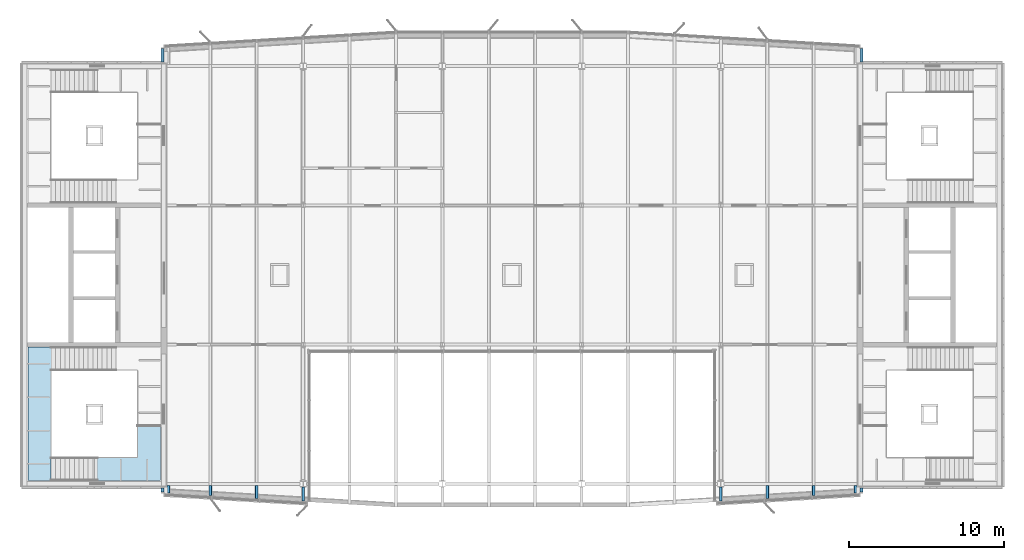
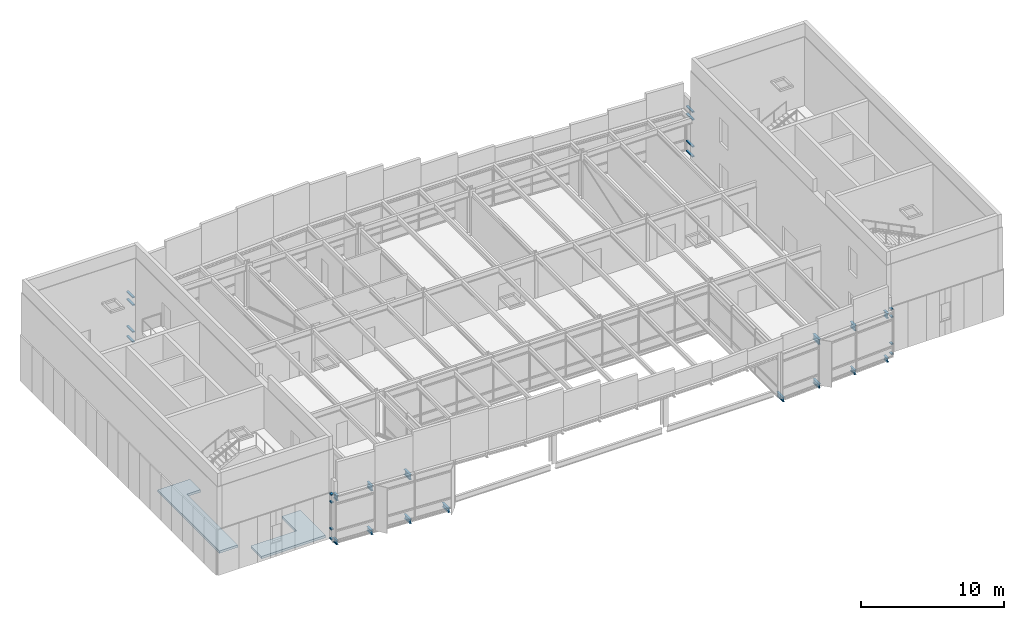
# One storey, part 10 of 23: 16 members, 14 beams, 2 slabs, 5 elements without a shape of their own.
"""IFC4 building model written with IfcOpenShell, lengths in metres."""

from ifc_helpers import new_model, si_unit, direction, frame, origin, origin_2d, place, context, subcontext, project, spatial, polyline, rectangle, i_section, outline, extrude, material, layer, layer_set, material_profile, profile_set, type_object, element, aggregate, save


model = new_model("IFC4")

# Units and contexts
model_context = context("Model", 3, precision=1e-05, world=origin(), true_north=direction((0.0, 1.0)))
body_context = subcontext(model_context, "Body", "Model", "MODEL_VIEW")
ifc_project = project(units=[si_unit("LENGTHUNIT", "METRE"), si_unit("AREAUNIT", "SQUARE_METRE"), si_unit("VOLUMEUNIT", "CUBIC_METRE"), si_unit("PLANEANGLEUNIT", "RADIAN"), si_unit("MASSUNIT", "GRAM", prefix="KILO")], contexts=[model_context])

# Site, building, storey
site_placement = place(None, origin())
site = spatial("IfcSite", under=ifc_project, at=site_placement, CompositionType="ELEMENT")
building_placement = place(site_placement, origin())
building = spatial("IfcBuilding", under=site, at=building_placement, Name="Azimuth Sports and Learning Centre", CompositionType="ELEMENT")
storey_placement = place(building_placement, frame((0.0, 0.0, 75.300048828125)))
storey = spatial("IfcBuildingStorey", under=building, at=storey_placement, Name="L17", CompositionType="ELEMENT", Elevation=75.300048828125)

# Beams
ifc_material_1 = material(Name="Steel S355", Category="steel")
ifc_material_profile_1 = material_profile(ifc_material_1, i_section(OverallWidth=0.169921875, OverallDepth=0.360107421875, WebThickness=0.008056640625, FlangeThickness=0.0126953125, FilletRadius=0.01806640625, at=origin_2d()), Name="IPE 360")
ifc_profile_set_1 = profile_set([ifc_material_profile_1], Name="Steel S355")
beam_type_1 = type_object("IfcBeamType", Name="Cantilever stub IPE 360", PredefinedType="JOIST", material=ifc_profile_set_1)
beam_1_placement = place(storey_placement, frame((63.284912109375, 89.89990234375, -0.31005859375), z_axis=(0.0, -1.0, 0.0), x_axis=(1.0, 0.0, 0.0)))
element("IfcBeam", 1, at=beam_1_placement, inside=storey, type_object=beam_type_1, Name="Tower cantilever stub", PredefinedType="JOIST", context=body_context, shape_type="SweptSolid", body=[
    extrude(i_section(OverallWidth=0.169921875, OverallDepth=0.360107421875, WebThickness=0.008056640625, FlangeThickness=0.0126953125, FilletRadius=0.01806640625, at=origin_2d()), origin(), (0.0, 0.0, 1.0), 0.4970703125),
])
beam_2_placement = place(storey_placement, frame((66.0, 89.89990234375, -0.31005859375), z_axis=(0.0, -1.0, 0.0), x_axis=(1.0, 0.0, 0.0)))
element("IfcBeam", 2, at=beam_2_placement, inside=storey, type_object=beam_type_1, Name="Tower cantilever stub", PredefinedType="JOIST", context=body_context, shape_type="SweptSolid", body=[
    extrude(i_section(OverallWidth=0.169921875, OverallDepth=0.360107421875, WebThickness=0.008056640625, FlangeThickness=0.0126953125, FilletRadius=0.01806640625, at=origin_2d()), origin(), (0.0, 0.0, 1.0), 0.659912109375),
])
beam_3_placement = place(storey_placement, frame((69.0, 89.89990234375, -0.31005859375), z_axis=(0.0, -1.0, 0.0), x_axis=(1.0, 0.0, 0.0)))
element("IfcBeam", 3, at=beam_3_placement, inside=storey, type_object=beam_type_1, Name="Tower cantilever stub", PredefinedType="JOIST", context=body_context, shape_type="SweptSolid", body=[
    extrude(i_section(OverallWidth=0.169921875, OverallDepth=0.360107421875, WebThickness=0.008056640625, FlangeThickness=0.0126953125, FilletRadius=0.01806640625, at=origin_2d()), origin(), (0.0, 0.0, 1.0), 0.83984375),
])
for number, where, z_axis, x_axis, name in (
    (4, (72.0, 89.782470703125, -0.31005859375), (0.0, -1.0, 0.0), (1.0, 0.0, 0.0), "Tower cantilever stub"),
    (5, (99.0, 89.782470703125, -0.31005859375), (0.0, -1.0, 0.0), (1.0, 0.0, 0.0), "Tower cantilever stub"),
):
    element("IfcBeam", number, at=place(storey_placement, frame(where, z_axis=z_axis, x_axis=x_axis)), inside=storey, type_object=beam_type_1, Name=name, PredefinedType="JOIST", context=body_context, shape_type="SweptSolid", body=[
        extrude(i_section(OverallWidth=0.169921875, OverallDepth=0.360107421875, WebThickness=0.008056640625, FlangeThickness=0.0126953125, FilletRadius=0.01806640625, at=origin_2d()), origin(), (0.0, 0.0, 1.0), 0.902587890625),
    ])
beam_4_placement = place(storey_placement, frame((102.0, 89.89990234375, -0.31005859375), z_axis=(0.0, -1.0, 0.0), x_axis=(1.0, 0.0, 0.0)))
element("IfcBeam", 6, at=beam_4_placement, inside=storey, type_object=beam_type_1, Name="Tower cantilever stub", PredefinedType="JOIST", context=body_context, shape_type="SweptSolid", body=[
    extrude(i_section(OverallWidth=0.169921875, OverallDepth=0.360107421875, WebThickness=0.008056640625, FlangeThickness=0.0126953125, FilletRadius=0.01806640625, at=origin_2d()), origin(), (0.0, 0.0, 1.0), 0.83984375),
])
beam_5_placement = place(storey_placement, frame((105.0, 89.89990234375, -0.31005859375), z_axis=(0.0, -1.0, 0.0), x_axis=(1.0, 0.0, 0.0)))
element("IfcBeam", 7, at=beam_5_placement, inside=storey, type_object=beam_type_1, Name="Tower cantilever stub", PredefinedType="JOIST", context=body_context, shape_type="SweptSolid", body=[
    extrude(i_section(OverallWidth=0.169921875, OverallDepth=0.360107421875, WebThickness=0.008056640625, FlangeThickness=0.0126953125, FilletRadius=0.01806640625, at=origin_2d()), origin(), (0.0, 0.0, 1.0), 0.659912109375),
])
beam_6_placement = place(storey_placement, frame((107.715087890625, 89.89990234375, -0.31005859375), z_axis=(0.0, -1.0, 0.0), x_axis=(1.0, 0.0, 0.0)))
element("IfcBeam", 8, at=beam_6_placement, inside=storey, type_object=beam_type_1, Name="Tower cantilever stub", PredefinedType="JOIST", context=body_context, shape_type="SweptSolid", body=[
    extrude(i_section(OverallWidth=0.169921875, OverallDepth=0.360107421875, WebThickness=0.008056640625, FlangeThickness=0.0126953125, FilletRadius=0.01806640625, at=origin_2d()), origin(), (0.0, 0.0, 1.0), 0.4970703125),
])
ifc_material_2 = material(Name="Steel S355", Category="steel")
ifc_material_profile_2 = material_profile(ifc_material_2, i_section(OverallWidth=0.18994140625, OverallDepth=0.449951171875, WebThickness=0.009521484375, FlangeThickness=0.0146484375, FilletRadius=0.02099609375, at=origin_2d()), Name="IPE 450")
ifc_profile_set_2 = profile_set([ifc_material_profile_2], Name="Steel S355")
beam_type_2 = type_object("IfcBeamType", Name="Cantilever stub IPE 450", PredefinedType="JOIST", material=ifc_profile_set_2)
beam_7_placement = place(storey_placement, frame((63.294921875, 89.89990234375, 3.474853515625), z_axis=(0.0, -1.0, 0.0), x_axis=(1.0, 0.0, 0.0)))
element("IfcBeam", 9, at=beam_7_placement, inside=storey, type_object=beam_type_2, Name="Roof cantilever stub", PredefinedType="JOIST", context=body_context, shape_type="SweptSolid", body=[
    extrude(i_section(OverallWidth=0.18994140625, OverallDepth=0.449951171875, WebThickness=0.009521484375, FlangeThickness=0.0146484375, FilletRadius=0.02099609375, at=origin_2d()), origin(), (0.0, 0.0, 1.0), 0.49755859375),
])
beam_8_placement = place(storey_placement, frame((66.0, 89.89990234375, 3.474853515625), z_axis=(0.0, -1.0, 0.0), x_axis=(1.0, 0.0, 0.0)))
element("IfcBeam", 10, at=beam_8_placement, inside=storey, type_object=beam_type_2, Name="Roof cantilever stub", PredefinedType="JOIST", context=body_context, shape_type="SweptSolid", body=[
    extrude(i_section(OverallWidth=0.18994140625, OverallDepth=0.449951171875, WebThickness=0.009521484375, FlangeThickness=0.0146484375, FilletRadius=0.02099609375, at=origin_2d()), origin(), (0.0, 0.0, 1.0), 0.659912109375),
])
for number, where, z_axis, x_axis, name in (
    (11, (69.0, 89.89990234375, 3.474853515625), (0.0, -1.0, 0.0), (1.0, 0.0, 0.0), "Roof cantilever stub"),
    (12, (102.0, 89.89990234375, 3.474853515625), (0.0, -1.0, 0.0), (1.0, 0.0, 0.0), "Roof cantilever stub"),
):
    element("IfcBeam", number, at=place(storey_placement, frame(where, z_axis=z_axis, x_axis=x_axis)), inside=storey, type_object=beam_type_2, Name=name, PredefinedType="JOIST", context=body_context, shape_type="SweptSolid", body=[
        extrude(i_section(OverallWidth=0.18994140625, OverallDepth=0.449951171875, WebThickness=0.009521484375, FlangeThickness=0.0146484375, FilletRadius=0.02099609375, at=origin_2d()), origin(), (0.0, 0.0, 1.0), 0.83984375),
    ])
beam_9_placement = place(storey_placement, frame((105.0, 89.89990234375, 3.474853515625), z_axis=(0.0, -1.0, 0.0), x_axis=(1.0, 0.0, 0.0)))
element("IfcBeam", 13, at=beam_9_placement, inside=storey, type_object=beam_type_2, Name="Roof cantilever stub", PredefinedType="JOIST", context=body_context, shape_type="SweptSolid", body=[
    extrude(i_section(OverallWidth=0.18994140625, OverallDepth=0.449951171875, WebThickness=0.009521484375, FlangeThickness=0.0146484375, FilletRadius=0.02099609375, at=origin_2d()), origin(), (0.0, 0.0, 1.0), 0.659912109375),
])
beam_10_placement = place(storey_placement, frame((107.705078125, 89.89990234375, 3.474853515625), z_axis=(0.0, -1.0, 0.0), x_axis=(1.0, 0.0, 0.0)))
element("IfcBeam", 14, at=beam_10_placement, inside=storey, type_object=beam_type_2, Name="Roof cantilever stub", PredefinedType="JOIST", context=body_context, shape_type="SweptSolid", body=[
    extrude(i_section(OverallWidth=0.18994140625, OverallDepth=0.449951171875, WebThickness=0.009521484375, FlangeThickness=0.0146484375, FilletRadius=0.02099609375, at=origin_2d()), origin(), (0.0, 0.0, 1.0), 0.49755859375),
])

# Curtain wall, members
ifc_material_3 = material(Name="Aluminium and glass", Category="aluminium")
curtain_wall_type = type_object("IfcCurtainWallType", Name="Curtain wall tower return 180", PredefinedType="NOTDEFINED", material=ifc_material_3)
curtain_wall_1_placement = place(storey_placement, origin())
curtain_wall_1 = element("IfcCurtainWall", 15, at=curtain_wall_1_placement, inside=storey, type_object=curtain_wall_type, Name="Curtain wall CW17-001", PredefinedType="NOTDEFINED")
ifc_material_4 = material(Name="Aluminium", Category="aluminium")
ifc_material_profile_3 = material_profile(ifc_material_4, rectangle(XDim=0.179931640625, YDim=0.10009765625, at=origin_2d()), Name="Transom 100x180")
ifc_profile_set_3 = profile_set([ifc_material_profile_3], Name="Aluminium")
member_type = type_object("IfcMemberType", Name="Transom 100x180", PredefinedType="USERDEFINED", material=ifc_profile_set_3)
member_1_placement = place(storey_placement, frame((62.909912109375, 89.739990234375, 0.050048828125), z_axis=(0.0, -1.0, 0.0), x_axis=(1.0, 0.0, 0.0)))
member_1 = element("IfcMember", 16, at=member_1_placement, type_object=member_type, Name="CW17-001 transom 1.1", ObjectType="TRANSOM", PredefinedType="USERDEFINED", context=body_context, shape_type="SweptSolid", body=[
    extrude(rectangle(XDim=0.179931640625, YDim=0.10009765625, at=origin_2d()), origin(), (0.0, 0.0, 1.0), 0.280029296875),
])
member_2_placement = place(storey_placement, frame((62.909912109375, 89.739990234375, 0.89990234375), z_axis=(0.0, -1.0, 0.0), x_axis=(1.0, 0.0, 0.0)))
member_2 = element("IfcMember", 17, at=member_2_placement, type_object=member_type, Name="CW17-001 transom 1.2", ObjectType="TRANSOM", PredefinedType="USERDEFINED", context=body_context, shape_type="SweptSolid", body=[
    extrude(rectangle(XDim=0.179931640625, YDim=0.10009765625, at=origin_2d()), origin(), (0.0, 0.0, 1.0), 0.280029296875),
])
member_3_placement = place(storey_placement, frame((62.909912109375, 89.739990234375, 3.199951171875), z_axis=(0.0, -1.0, 0.0), x_axis=(1.0, 0.0, 0.0)))
member_3 = element("IfcMember", 18, at=member_3_placement, type_object=member_type, Name="CW17-001 transom 1.3", ObjectType="TRANSOM", PredefinedType="USERDEFINED", context=body_context, shape_type="SweptSolid", body=[
    extrude(rectangle(XDim=0.179931640625, YDim=0.10009765625, at=origin_2d()), origin(), (0.0, 0.0, 1.0), 0.280029296875),
])
member_4_placement = place(storey_placement, frame((62.909912109375, 89.739990234375, 3.849853515625), z_axis=(0.0, -1.0, 0.0), x_axis=(1.0, 0.0, 0.0)))
member_4 = element("IfcMember", 19, at=member_4_placement, type_object=member_type, Name="CW17-001 transom 1.4", ObjectType="TRANSOM", PredefinedType="USERDEFINED", context=body_context, shape_type="SweptSolid", body=[
    extrude(rectangle(XDim=0.179931640625, YDim=0.10009765625, at=origin_2d()), origin(), (0.0, 0.0, 1.0), 0.280029296875),
])
aggregate(curtain_wall_1, [member_1, member_2, member_3, member_4])

curtain_wall_2_placement = place(storey_placement, origin())
curtain_wall_2 = element("IfcCurtainWall", 20, at=curtain_wall_2_placement, inside=storey, type_object=curtain_wall_type, Name="Curtain wall CW17-007", PredefinedType="NOTDEFINED")
member_5_placement = place(storey_placement, frame((108.090087890625, 89.4599609375, 0.050048828125), z_axis=(0.0, 1.0, 0.0), x_axis=(-1.0, 0.0, 0.0)))
member_5 = element("IfcMember", 21, at=member_5_placement, type_object=member_type, Name="CW17-007 transom 1.1", ObjectType="TRANSOM", PredefinedType="USERDEFINED", context=body_context, shape_type="SweptSolid", body=[
    extrude(rectangle(XDim=0.179931640625, YDim=0.10009765625, at=origin_2d()), origin(), (0.0, 0.0, 1.0), 0.280029296875),
])
member_6_placement = place(storey_placement, frame((108.090087890625, 89.4599609375, 0.89990234375), z_axis=(0.0, 1.0, 0.0), x_axis=(-1.0, 0.0, 0.0)))
member_6 = element("IfcMember", 22, at=member_6_placement, type_object=member_type, Name="CW17-007 transom 1.2", ObjectType="TRANSOM", PredefinedType="USERDEFINED", context=body_context, shape_type="SweptSolid", body=[
    extrude(rectangle(XDim=0.179931640625, YDim=0.10009765625, at=origin_2d()), origin(), (0.0, 0.0, 1.0), 0.280029296875),
])
member_7_placement = place(storey_placement, frame((108.090087890625, 89.4599609375, 3.199951171875), z_axis=(0.0, 1.0, 0.0), x_axis=(-1.0, 0.0, 0.0)))
member_7 = element("IfcMember", 23, at=member_7_placement, type_object=member_type, Name="CW17-007 transom 1.3", ObjectType="TRANSOM", PredefinedType="USERDEFINED", context=body_context, shape_type="SweptSolid", body=[
    extrude(rectangle(XDim=0.179931640625, YDim=0.10009765625, at=origin_2d()), origin(), (0.0, 0.0, 1.0), 0.280029296875),
])
member_8_placement = place(storey_placement, frame((108.090087890625, 89.4599609375, 3.849853515625), z_axis=(0.0, 1.0, 0.0), x_axis=(-1.0, 0.0, 0.0)))
member_8 = element("IfcMember", 24, at=member_8_placement, type_object=member_type, Name="CW17-007 transom 1.4", ObjectType="TRANSOM", PredefinedType="USERDEFINED", context=body_context, shape_type="SweptSolid", body=[
    extrude(rectangle(XDim=0.179931640625, YDim=0.10009765625, at=origin_2d()), origin(), (0.0, 0.0, 1.0), 0.280029296875),
])
aggregate(curtain_wall_2, [member_5, member_6, member_7, member_8])

curtain_wall_3_placement = place(storey_placement, origin())
curtain_wall_3 = element("IfcCurtainWall", 25, at=curtain_wall_3_placement, inside=storey, type_object=curtain_wall_type, Name="Curtain wall CW17-008", PredefinedType="NOTDEFINED")
member_9_placement = place(storey_placement, frame((108.090087890625, 117.260009765625, 0.050048828125), z_axis=(0.0, 1.0, 0.0), x_axis=(-1.0, 0.0, 0.0)))
member_9 = element("IfcMember", 26, at=member_9_placement, type_object=member_type, Name="CW17-008 transom 1.1", ObjectType="TRANSOM", PredefinedType="USERDEFINED", context=body_context, shape_type="SweptSolid", body=[
    extrude(rectangle(XDim=0.179931640625, YDim=0.10009765625, at=origin_2d()), origin(), (0.0, 0.0, 1.0), 0.8798828125),
])
member_10_placement = place(storey_placement, frame((108.090087890625, 117.260009765625, 0.89990234375), z_axis=(0.0, 1.0, 0.0), x_axis=(-1.0, 0.0, 0.0)))
member_10 = element("IfcMember", 27, at=member_10_placement, type_object=member_type, Name="CW17-008 transom 1.2", ObjectType="TRANSOM", PredefinedType="USERDEFINED", context=body_context, shape_type="SweptSolid", body=[
    extrude(rectangle(XDim=0.179931640625, YDim=0.10009765625, at=origin_2d()), origin(), (0.0, 0.0, 1.0), 0.8798828125),
])
member_11_placement = place(storey_placement, frame((108.090087890625, 117.260009765625, 3.199951171875), z_axis=(0.0, 1.0, 0.0), x_axis=(-1.0, 0.0, 0.0)))
member_11 = element("IfcMember", 28, at=member_11_placement, type_object=member_type, Name="CW17-008 transom 1.3", ObjectType="TRANSOM", PredefinedType="USERDEFINED", context=body_context, shape_type="SweptSolid", body=[
    extrude(rectangle(XDim=0.179931640625, YDim=0.10009765625, at=origin_2d()), origin(), (0.0, 0.0, 1.0), 0.8798828125),
])
member_12_placement = place(storey_placement, frame((108.090087890625, 117.260009765625, 3.849853515625), z_axis=(0.0, 1.0, 0.0), x_axis=(-1.0, 0.0, 0.0)))
member_12 = element("IfcMember", 29, at=member_12_placement, type_object=member_type, Name="CW17-008 transom 1.4", ObjectType="TRANSOM", PredefinedType="USERDEFINED", context=body_context, shape_type="SweptSolid", body=[
    extrude(rectangle(XDim=0.179931640625, YDim=0.10009765625, at=origin_2d()), origin(), (0.0, 0.0, 1.0), 0.8798828125),
])
aggregate(curtain_wall_3, [member_9, member_10, member_11, member_12])

curtain_wall_4_placement = place(storey_placement, origin())
curtain_wall_4 = element("IfcCurtainWall", 30, at=curtain_wall_4_placement, inside=storey, type_object=curtain_wall_type, Name="Curtain wall CW17-012", PredefinedType="NOTDEFINED")
member_13_placement = place(storey_placement, frame((62.909912109375, 118.139892578125, 0.050048828125), z_axis=(0.0, -1.0, 0.0), x_axis=(1.0, 0.0, 0.0)))
member_13 = element("IfcMember", 31, at=member_13_placement, type_object=member_type, Name="CW17-012 transom 1.1", ObjectType="TRANSOM", PredefinedType="USERDEFINED", context=body_context, shape_type="SweptSolid", body=[
    extrude(rectangle(XDim=0.179931640625, YDim=0.10009765625, at=origin_2d()), origin(), (0.0, 0.0, 1.0), 0.8798828125),
])
member_14_placement = place(storey_placement, frame((62.909912109375, 118.139892578125, 0.89990234375), z_axis=(0.0, -1.0, 0.0), x_axis=(1.0, 0.0, 0.0)))
member_14 = element("IfcMember", 32, at=member_14_placement, type_object=member_type, Name="CW17-012 transom 1.2", ObjectType="TRANSOM", PredefinedType="USERDEFINED", context=body_context, shape_type="SweptSolid", body=[
    extrude(rectangle(XDim=0.179931640625, YDim=0.10009765625, at=origin_2d()), origin(), (0.0, 0.0, 1.0), 0.8798828125),
])
member_15_placement = place(storey_placement, frame((62.909912109375, 118.139892578125, 3.199951171875), z_axis=(0.0, -1.0, 0.0), x_axis=(1.0, 0.0, 0.0)))
member_15 = element("IfcMember", 33, at=member_15_placement, type_object=member_type, Name="CW17-012 transom 1.3", ObjectType="TRANSOM", PredefinedType="USERDEFINED", context=body_context, shape_type="SweptSolid", body=[
    extrude(rectangle(XDim=0.179931640625, YDim=0.10009765625, at=origin_2d()), origin(), (0.0, 0.0, 1.0), 0.8798828125),
])
member_16_placement = place(storey_placement, frame((62.909912109375, 118.139892578125, 3.849853515625), z_axis=(0.0, -1.0, 0.0), x_axis=(1.0, 0.0, 0.0)))
member_16 = element("IfcMember", 34, at=member_16_placement, type_object=member_type, Name="CW17-012 transom 1.4", ObjectType="TRANSOM", PredefinedType="USERDEFINED", context=body_context, shape_type="SweptSolid", body=[
    extrude(rectangle(XDim=0.179931640625, YDim=0.10009765625, at=origin_2d()), origin(), (0.0, 0.0, 1.0), 0.8798828125),
])
aggregate(curtain_wall_4, [member_13, member_14, member_15, member_16])

# Stair, slabs
ifc_material_5 = material(Name="Concrete C32/40", Category="concrete")
stair_type = type_object("IfcStairType", Name="Square-well stair core 3900 storey", PredefinedType="THREE_QUARTER_TURN_STAIR", material=ifc_material_5)
stair_placement = place(storey_placement, origin())
stair = element("IfcStair", 35, at=stair_placement, inside=storey, type_object=stair_type, Name="Stair W1 L17-Roof", PredefinedType="THREE_QUARTER_TURN_STAIR")
ifc_material_6 = material(Name="Concrete C32/40", Category="concrete")
ifc_layer = layer(ifc_material_6, 0.199951171875)
ifc_layer_set = layer_set([ifc_layer], Name="Concrete C32/40")
slab_type = type_object("IfcSlabType", Name="Concrete stair landing", PredefinedType="LANDING", material=ifc_layer_set)
slab_1_placement = place(storey_placement, frame((0.0, 0.0, -0.199951171875)))
slab_1 = element("IfcSlab", 36, at=slab_1_placement, type_object=slab_type, Name="Stair W1 L17 landing 1", PredefinedType="LANDING", context=body_context, shape_type="SweptSolid", body=[
    extrude(outline(polyline([(62.7900390625, 90.2099609375), (62.7900390625, 93.75), (61.2900390625, 93.75), (61.2900390625, 91.7099609375), (57.610107421875, 91.7099609375), (57.610107421875, 90.2099609375), (62.7900390625, 90.2099609375)])), origin(), (0.0, 0.0, 1.0), 0.199951171875),
])
slab_2_placement = place(storey_placement, frame((0.0, 0.0, 1.449951171875)))
slab_2 = element("IfcSlab", 37, at=slab_2_placement, type_object=slab_type, Name="Stair W1 L17 landing 2", PredefinedType="LANDING", context=body_context, shape_type="SweptSolid", body=[
    extrude(outline(polyline([(55.7099609375, 91.7099609375), (55.7099609375, 97.340087890625), (56.81005859375, 97.340087890625), (56.81005859375, 98.840087890625), (54.2099609375, 98.840087890625), (54.2099609375, 90.2099609375), (55.710693359375, 90.2099609375), (55.710693359375, 91.7099609375), (55.7099609375, 91.7099609375)])), origin(), (0.0, 0.0, 1.0), 0.199951171875),
])
aggregate(stair, [slab_1, slab_2])

save(model, "model.ifc")
